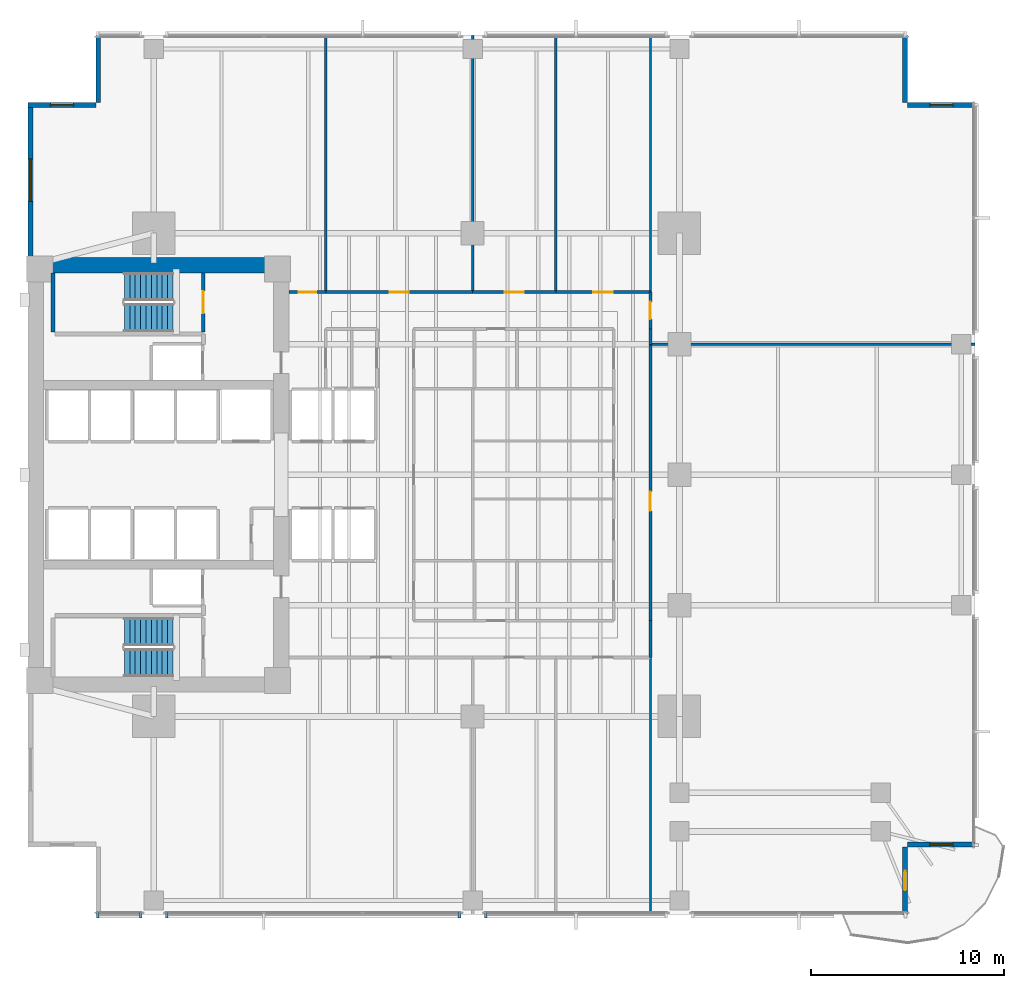
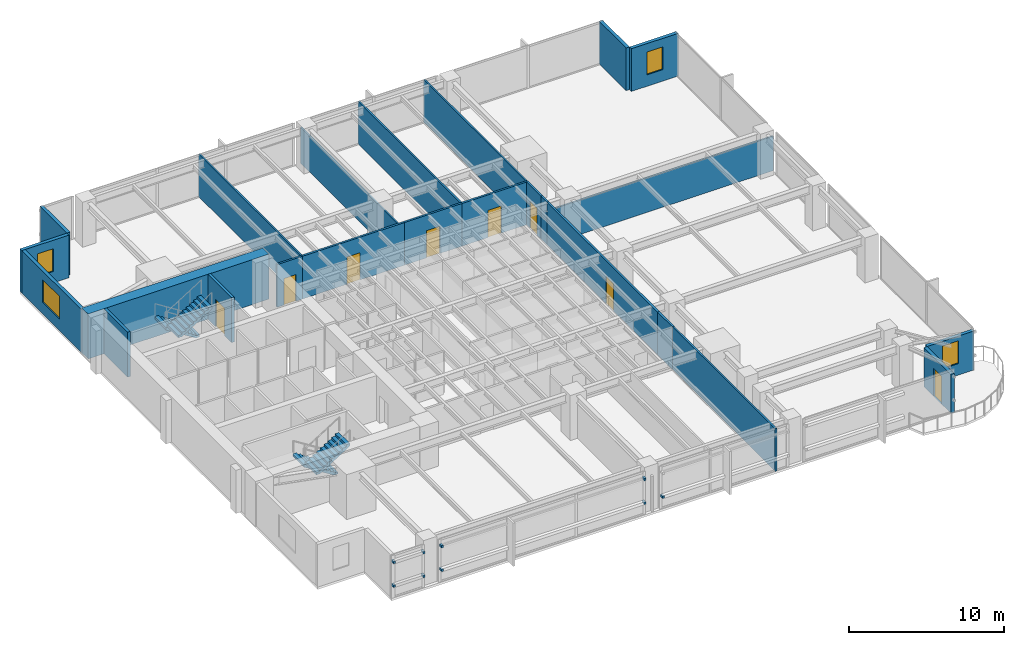
# One storey, part 10 of 15: 24 walls, 9 discrete accessories, 8 doors, 4 stair flights, 4 windows, 12 openings, 2 elements without a shape of their own.
"""IFC4 building model written with IfcOpenShell, lengths in metres."""

from ifc_helpers import new_model, si_unit, direction, frame, frame_2d, origin, origin_2d, place, context, subcontext, project, spatial, polyline, rectangle, outline, extrude, material, layer, layer_set, type_object, element, fill, aggregate, save


model = new_model("IFC4")

# Units and contexts
model_context = context("Model", 3, precision=1e-05, world=origin(), true_north=direction((0.0, 1.0)))
body_context = subcontext(model_context, "Body", "Model", "MODEL_VIEW")
ifc_project = project(units=[si_unit("LENGTHUNIT", "METRE"), si_unit("AREAUNIT", "SQUARE_METRE"), si_unit("VOLUMEUNIT", "CUBIC_METRE"), si_unit("PLANEANGLEUNIT", "RADIAN"), si_unit("MASSUNIT", "GRAM", prefix="KILO")], contexts=[model_context])

# Site, building, storey
site_placement = place(None, origin())
site = spatial("IfcSite", under=ifc_project, at=site_placement, CompositionType="ELEMENT")
building_placement = place(site_placement, origin())
building = spatial("IfcBuilding", under=site, at=building_placement, Name="Kinhvarn Gate Tower", CompositionType="ELEMENT")
storey_placement = place(building_placement, frame((0.0, 0.0, 75.300048828125)))
storey = spatial("IfcBuildingStorey", under=building, at=storey_placement, Name="L19", CompositionType="ELEMENT", Elevation=75.300048828125)

# Wall
ifc_material_1 = material(Name="Concrete C70/85", Category="concrete")
ifc_layer_1 = layer(ifc_material_1, 0.800048828125)
ifc_layer_set_1 = layer_set([ifc_layer_1], Name="Concrete C70/85")
wall_type_1 = type_object("IfcWallType", Name="WL-CORE-800", PredefinedType="SHEAR", material=ifc_layer_set_1)
wall_1_placement = place(storey_placement, frame((4.5, 36.10009765625, 0.0), z_axis=(0.0, 0.0, 1.0), x_axis=(1.0, 0.0, 0.0)))
element("IfcWall", 1, at=wall_1_placement, inside=storey, type_object=wall_type_1, Name="Core North Shear Wall L19 800 mm", PredefinedType="SHEAR", context=body_context, shape_type="SweptSolid", body=[
    extrude(rectangle(XDim=13.5, YDim=0.800048828125, at=frame_2d((6.75, 0.0))), origin(), (0.0, 0.0, 1.0), 3.550048828125),
])

# Wall, opening, window
ifc_material_2 = material(Name="Fired architectural terracotta", Category="masonry")
ifc_layer_2 = layer(ifc_material_2, 0.25)
ifc_layer_set_2 = layer_set([ifc_layer_2], Name="Fired architectural terracotta")
wall_type_2 = type_object("IfcWallType", Name="WL-EXT-250", PredefinedType="SOLIDWALL", material=ifc_layer_set_2)
wall_2_placement = place(storey_placement, frame((4.625, 44.5, 0.0), z_axis=(0.0, 0.0, 1.0), x_axis=(0.0, -1.0, 0.0)))
wall_2 = element("IfcWall", 2, at=wall_2_placement, inside=storey, type_object=wall_type_2, Name="Exterior Solidwall Wall EW-250 (L19 West-North)", PredefinedType="SOLIDWALL", context=body_context, shape_type="SweptSolid", body=[
    extrude(rectangle(XDim=8.0, YDim=0.25, at=frame_2d((4.0, 0.0))), origin(), (0.0, 0.0, 1.0), 3.369873046875),
])
opening_1_placement = place(wall_2_placement, frame((2.89990234375, 0.0, 0.89990234375)))
opening_1 = element("IfcOpeningElement", 3, at=opening_1_placement, cuts=wall_2, Name="Opening WN-01", PredefinedType="OPENING", context=body_context, shape_type="SweptSolid", body=[
    extrude(rectangle(XDim=2.199951171875, YDim=1.800048828125, at=frame_2d((1.10009765625, 0.89990234375))), frame((0.0, 0.135009765625, 0.0), z_axis=(0.0, -1.0, 0.0), x_axis=(1.0, 0.0, 0.0)), (0.0, 0.0, 1.0), 0.27001953125),
])
ifc_material_3 = material(Name="Clear low-e double glazing", Category="glass")
window_type_1 = type_object("IfcWindowType", Name="WIN-RIB-2200", PartitioningType="SINGLE_PANEL", PredefinedType="WINDOW", material=ifc_material_3)
window_1_placement = place(opening_1_placement, origin())
window_1 = element("IfcWindow", 4, at=window_1_placement, inside=storey, type_object=window_type_1, Name="West Flank Double-Glazed Ribbon Window 2200x1800 mm (L19)", OverallHeight=1.800048828125, OverallWidth=2.199951171875, PartitioningType="SINGLE_PANEL", PredefinedType="WINDOW", context=body_context, shape_type="SweptSolid", body=[
    extrude(rectangle(XDim=2.199951171875, YDim=1.800048828125, at=frame_2d((1.10009765625, 0.89990234375))), frame((0.0, 0.030029296875, 0.0), z_axis=(0.0, -1.0, 0.0), x_axis=(1.0, 0.0, 0.0)), (0.0, 0.0, 1.0), 0.06005859375),
])
fill(opening_1, window_1)

# Wall, opening, door
wall_3_placement = place(storey_placement, frame((49.875, 2.5, 0.0), z_axis=(0.0, 0.0, 1.0), x_axis=(0.0, 1.0, 0.0)))
wall_3 = element("IfcWall", 5, at=wall_3_placement, inside=storey, type_object=wall_type_2, Name="Exterior Solidwall Wall EW-250 (L19 SE-Notch-Door)", PredefinedType="SOLIDWALL", context=body_context, shape_type="SweptSolid", body=[
    extrude(rectangle(XDim=3.5, YDim=0.25, at=frame_2d((1.75, 0.0))), origin(), (0.0, 0.0, 1.0), 3.070068359375),
])
opening_2_placement = place(wall_3_placement, frame((1.25, 0.0, 0.0)))
opening_2 = element("IfcOpeningElement", 6, at=opening_2_placement, cuts=wall_3, Name="Opening BD-01", PredefinedType="OPENING", context=body_context, shape_type="SweptSolid", body=[
    extrude(rectangle(XDim=1.0, YDim=2.199951171875, at=frame_2d((0.5, 1.10009765625))), frame((0.0, 0.135009765625, 0.0), z_axis=(0.0, -1.0, 0.0), x_axis=(1.0, 0.0, 0.0)), (0.0, 0.0, 1.0), 0.27001953125),
])
door_type_1 = type_object("IfcDoorType", Name="DR-BAL-1000", OperationType="NOTDEFINED", PredefinedType="DOOR", material=ifc_material_3)
door_1_placement = place(opening_2_placement, frame((1.0, 0.0, 0.0), z_axis=(0.0, 0.0, 1.0), x_axis=(-1.0, 0.0, 0.0)))
door_1 = element("IfcDoor", 7, at=door_1_placement, inside=storey, type_object=door_type_1, Name="S-Carve Balcony Door BD-01 (L19)", OperationType="SINGLE_SWING_LEFT", OverallHeight=2.199951171875, OverallWidth=1.0, PredefinedType="DOOR", context=body_context, shape_type="SweptSolid", body=[
    extrude(rectangle(XDim=1.0, YDim=2.199951171875, at=frame_2d((0.5, 1.10009765625))), frame((0.0, 0.02490234375, 0.0), z_axis=(0.0, -1.0, 0.0), x_axis=(1.0, 0.0, 0.0)), (0.0, 0.0, 1.0), 0.050048828125),
])
fill(opening_2, door_1)

# Wall, opening, window
wall_4_placement = place(storey_placement, frame((50.0, 6.125, 0.0), z_axis=(0.0, 0.0, 1.0), x_axis=(1.0, 0.0, 0.0)))
wall_4 = element("IfcWall", 8, at=wall_4_placement, inside=storey, type_object=wall_type_2, Name="Exterior Solidwall Wall EW-250 (L19 SE-Notch-Win)", PredefinedType="SOLIDWALL", context=body_context, shape_type="SweptSolid", body=[
    extrude(rectangle(XDim=3.5, YDim=0.25, at=frame_2d((1.75, 0.0))), origin(), (0.0, 0.0, 1.0), 3.070068359375),
])
opening_3_placement = place(wall_4_placement, frame((1.14990234375, 0.0, 0.89990234375)))
opening_3 = element("IfcOpeningElement", 9, at=opening_3_placement, cuts=wall_4, Name="Opening WN-02", PredefinedType="OPENING", context=body_context, shape_type="SweptSolid", body=[
    extrude(rectangle(XDim=1.199951171875, YDim=1.800048828125, at=frame_2d((0.60009765625, 0.89990234375))), frame((0.0, 0.135009765625, 0.0), z_axis=(0.0, -1.0, 0.0), x_axis=(1.0, 0.0, 0.0)), (0.0, 0.0, 1.0), 0.27001953125),
])
window_type_2 = type_object("IfcWindowType", Name="WIN-NTC-1200", PartitioningType="SINGLE_PANEL", PredefinedType="WINDOW", material=ifc_material_3)
window_2_placement = place(opening_3_placement, origin())
window_2 = element("IfcWindow", 10, at=window_2_placement, inside=storey, type_object=window_type_2, Name="Recessed Corner Notch Punched Window 1200x1800 mm (L19)", OverallHeight=1.800048828125, OverallWidth=1.199951171875, PartitioningType="SINGLE_PANEL", PredefinedType="WINDOW", context=body_context, shape_type="SweptSolid", body=[
    extrude(rectangle(XDim=1.199951171875, YDim=1.800048828125, at=frame_2d((0.60009765625, 0.89990234375))), frame((0.0, 0.030029296875, 0.0), z_axis=(0.0, -1.0, 0.0), x_axis=(1.0, 0.0, 0.0)), (0.0, 0.0, 1.0), 0.06005859375),
])
fill(opening_3, window_2)

wall_5_placement = place(storey_placement, frame((53.5, 44.375, 0.0), z_axis=(0.0, 0.0, 1.0), x_axis=(-1.0, 0.0, 0.0)))
wall_5 = element("IfcWall", 11, at=wall_5_placement, inside=storey, type_object=wall_type_2, Name="Exterior Solidwall Wall EW-250 (L19 NE-Notch-1)", PredefinedType="SOLIDWALL", context=body_context, shape_type="SweptSolid", body=[
    extrude(rectangle(XDim=3.5, YDim=0.25, at=frame_2d((1.75, 0.0))), origin(), (0.0, 0.0, 1.0), 3.369873046875),
])
opening_4_placement = place(wall_5_placement, frame((1.14990234375, 0.0, 0.89990234375)))
opening_4 = element("IfcOpeningElement", 12, at=opening_4_placement, cuts=wall_5, Name="Opening WN-02", PredefinedType="OPENING", context=body_context, shape_type="SweptSolid", body=[
    extrude(rectangle(XDim=1.199951171875, YDim=1.800048828125, at=frame_2d((0.60009765625, 0.89990234375))), frame((0.0, 0.135009765625, 0.0), z_axis=(0.0, -1.0, 0.0), x_axis=(1.0, 0.0, 0.0)), (0.0, 0.0, 1.0), 0.27001953125),
])
window_3_placement = place(opening_4_placement, origin())
window_3 = element("IfcWindow", 13, at=window_3_placement, inside=storey, type_object=window_type_2, Name="Recessed Corner Notch Punched Window 1200x1800 mm (L19)", OverallHeight=1.800048828125, OverallWidth=1.199951171875, PartitioningType="SINGLE_PANEL", PredefinedType="WINDOW", context=body_context, shape_type="SweptSolid", body=[
    extrude(rectangle(XDim=1.199951171875, YDim=1.800048828125, at=frame_2d((0.60009765625, 0.89990234375))), frame((0.0, 0.030029296875, 0.0), z_axis=(0.0, -1.0, 0.0), x_axis=(1.0, 0.0, 0.0)), (0.0, 0.0, 1.0), 0.06005859375),
])
fill(opening_4, window_3)

# Walls
for number, where, z_axis, x_axis, name in (
    (14, (49.875, 44.5, 0.0), (0.0, 0.0, 1.0), (0.0, 1.0, 0.0), "Exterior Solidwall Wall EW-250 (L19 NE-Notch-2)"),
    (15, (8.125, 48.0, 0.0), (0.0, 0.0, 1.0), (0.0, -1.0, 0.0), "Exterior Solidwall Wall EW-250 (L19 NW-Notch-1)"),
):
    element("IfcWall", number, at=place(storey_placement, frame(where, z_axis=z_axis, x_axis=x_axis)), inside=storey, type_object=wall_type_2, Name=name, PredefinedType="SOLIDWALL", context=body_context, shape_type="SweptSolid", body=[
        extrude(rectangle(XDim=3.5, YDim=0.25, at=frame_2d((1.75, 0.0))), origin(), (0.0, 0.0, 1.0), 3.369873046875),
    ])

# Wall, opening, window
wall_6_placement = place(storey_placement, frame((8.0, 44.375, 0.0), z_axis=(0.0, 0.0, 1.0), x_axis=(-1.0, 0.0, 0.0)))
wall_6 = element("IfcWall", 16, at=wall_6_placement, inside=storey, type_object=wall_type_2, Name="Exterior Solidwall Wall EW-250 (L19 NW-Notch-2)", PredefinedType="SOLIDWALL", context=body_context, shape_type="SweptSolid", body=[
    extrude(rectangle(XDim=3.5, YDim=0.25, at=frame_2d((1.75, 0.0))), origin(), (0.0, 0.0, 1.0), 3.369873046875),
])
opening_5_placement = place(wall_6_placement, frame((1.14990234375, 0.0, 0.89990234375)))
opening_5 = element("IfcOpeningElement", 17, at=opening_5_placement, cuts=wall_6, Name="Opening WN-02", PredefinedType="OPENING", context=body_context, shape_type="SweptSolid", body=[
    extrude(rectangle(XDim=1.199951171875, YDim=1.800048828125, at=frame_2d((0.60009765625, 0.89990234375))), frame((0.0, 0.135009765625, 0.0), z_axis=(0.0, -1.0, 0.0), x_axis=(1.0, 0.0, 0.0)), (0.0, 0.0, 1.0), 0.27001953125),
])
window_4_placement = place(opening_5_placement, origin())
window_4 = element("IfcWindow", 18, at=window_4_placement, inside=storey, type_object=window_type_2, Name="Recessed Corner Notch Punched Window 1200x1800 mm (L19)", OverallHeight=1.800048828125, OverallWidth=1.199951171875, PartitioningType="SINGLE_PANEL", PredefinedType="WINDOW", context=body_context, shape_type="SweptSolid", body=[
    extrude(rectangle(XDim=1.199951171875, YDim=1.800048828125, at=frame_2d((0.60009765625, 0.89990234375))), frame((0.0, 0.030029296875, 0.0), z_axis=(0.0, -1.0, 0.0), x_axis=(1.0, 0.0, 0.0)), (0.0, 0.0, 1.0), 0.06005859375),
])
fill(opening_5, window_4)

# Walls
ifc_material_4 = material(Name="Gypsum acoustic partition board")
ifc_layer_3 = layer(ifc_material_4, 0.1201171875)
ifc_layer_set_3 = layer_set([ifc_layer_3], Name="Gypsum acoustic partition board")
wall_type_3 = type_object("IfcWallType", Name="WL-PRT-120", PredefinedType="PARTITIONING", material=ifc_layer_set_3)
for number, where, z_axis, x_axis, name in (
    (19, (36.699951171875, 2.510009765625, 0.0), (0.0, 0.0, 1.0), (0.0, 1.0, 0.0), "Interior Partition PW-120 (L19)"),
    (20, (19.89990234375, 34.699951171875, 0.0), (0.0, 0.0, 1.0), (0.0, 1.0, 0.0), "Interior Partition PW-120 (L19)"),
):
    element("IfcWall", number, at=place(storey_placement, frame(where, z_axis=z_axis, x_axis=x_axis)), inside=storey, type_object=wall_type_3, Name=name, PredefinedType="PARTITIONING", context=body_context, shape_type="SweptSolid", body=[
        extrude(rectangle(XDim=13.2900390625, YDim=0.1201171875, at=frame_2d((6.64501953125, 0.0))), origin(), (0.0, 0.0, 1.0), 3.369873046875),
    ])
wall_7_placement = place(storey_placement, frame((27.5, 34.699951171875, 0.0), z_axis=(0.0, 0.0, 1.0), x_axis=(0.0, 1.0, 0.0)))
element("IfcWall", 21, at=wall_7_placement, inside=storey, type_object=wall_type_3, Name="Interior Partition PW-120 (L19)", PredefinedType="PARTITIONING", context=body_context, shape_type="SweptSolid", body=[
    extrude(rectangle(XDim=13.2900390625, YDim=0.1201171875, at=frame_2d((6.64501953125, 0.0))), origin(), (0.0, 0.0, 1.0), 2.820068359375),
])
for number, where, z_axis, x_axis, name in (
    (22, (31.800048828125, 34.699951171875, 0.0), (0.0, 0.0, 1.0), (0.0, 1.0, 0.0), "Interior Partition PW-120 (L19)"),
    (23, (36.699951171875, 34.699951171875, 0.0), (0.0, 0.0, 1.0), (0.0, 1.0, 0.0), "Interior Partition PW-120 (L19)"),
):
    element("IfcWall", number, at=place(storey_placement, frame(where, z_axis=z_axis, x_axis=x_axis)), inside=storey, type_object=wall_type_3, Name=name, PredefinedType="PARTITIONING", context=body_context, shape_type="SweptSolid", body=[
        extrude(rectangle(XDim=13.2900390625, YDim=0.1201171875, at=frame_2d((6.64501953125, 0.0))), origin(), (0.0, 0.0, 1.0), 3.369873046875),
    ])
wall_8_placement = place(storey_placement, frame((36.699951171875, 32.0, 0.0), z_axis=(0.0, 0.0, 1.0), x_axis=(1.0, 0.0, 0.0)))
element("IfcWall", 24, at=wall_8_placement, inside=storey, type_object=wall_type_3, Name="Interior Partition PW-120 (L19)", PredefinedType="PARTITIONING", context=body_context, shape_type="SweptSolid", body=[
    extrude(rectangle(XDim=16.7900390625, YDim=0.1201171875, at=frame_2d((8.39501953125, 0.0))), origin(), (0.0, 0.0, 1.0), 2.719970703125),
])
ifc_layer_4 = layer(ifc_material_4, 0.14990234375)
ifc_layer_set_4 = layer_set([ifc_layer_4], Name="Gypsum acoustic partition board")
wall_type_4 = type_object("IfcWallType", Name="WL-PRT-150F", PredefinedType="PARTITIONING", material=ifc_layer_set_4)
wall_9_placement = place(storey_placement, frame((36.699951171875, 15.800048828125, 0.0), z_axis=(0.0, 0.0, 1.0), x_axis=(0.0, 1.0, 0.0)))
element("IfcWall", 25, at=wall_9_placement, inside=storey, type_object=wall_type_4, Name="Interior Partition PW-150F (L19)", PredefinedType="PARTITIONING", context=body_context, shape_type="SweptSolid", body=[
    extrude(rectangle(XDim=1.89990234375, YDim=0.14990234375, at=frame_2d((0.949951171875, 0.0))), origin(), (0.0, 0.0, 1.0), 3.369873046875),
])

# Wall, opening, door
wall_10_placement = place(storey_placement, frame((18.0, 34.699951171875, 0.0), z_axis=(0.0, 0.0, 1.0), x_axis=(1.0, 0.0, 0.0)))
wall_10 = element("IfcWall", 26, at=wall_10_placement, inside=storey, type_object=wall_type_4, Name="Interior Partition PW-150F (L19)", PredefinedType="PARTITIONING", context=body_context, shape_type="SweptSolid", body=[
    extrude(rectangle(XDim=1.89990234375, YDim=0.14990234375, at=frame_2d((0.949951171875, 0.0))), origin(), (0.0, 0.0, 1.0), 3.369873046875),
])
opening_6_placement = place(wall_10_placement, frame((0.5, 0.0, 0.0)))
opening_6 = element("IfcOpeningElement", 27, at=opening_6_placement, cuts=wall_10, Name="Opening ID-03", PredefinedType="OPENING", context=body_context, shape_type="SweptSolid", body=[
    extrude(rectangle(XDim=0.89990234375, YDim=2.10009765625, at=frame_2d((0.449951171875, 1.050048828125))), frame((0.0, 0.0849609375, 0.0), z_axis=(0.0, -1.0, 0.0), x_axis=(1.0, 0.0, 0.0)), (0.0, 0.0, 1.0), 0.169921875),
])
ifc_material_5 = material(Name="Anodised aluminium AW-6063", Category="aluminium")
door_type_2 = type_object("IfcDoorType", Name="DR-INT-900", OperationType="NOTDEFINED", PredefinedType="DOOR", material=ifc_material_5)
door_2_placement = place(opening_6_placement, origin())
door_2 = element("IfcDoor", 28, at=door_2_placement, inside=storey, type_object=door_type_2, Name="Cellular Office & Restroom Door 900x2100 mm (L19)", OperationType="SINGLE_SWING_LEFT", OverallHeight=2.10009765625, OverallWidth=0.89990234375, PredefinedType="DOOR", context=body_context, shape_type="SweptSolid", body=[
    extrude(rectangle(XDim=0.89990234375, YDim=2.10009765625, at=frame_2d((0.449951171875, 1.050048828125))), frame((0.0, 0.02490234375, 0.0), z_axis=(0.0, -1.0, 0.0), x_axis=(1.0, 0.0, 0.0)), (0.0, 0.0, 1.0), 0.050048828125),
])
fill(opening_6, door_2)

wall_11_placement = place(storey_placement, frame((19.89990234375, 34.699951171875, 0.0), z_axis=(0.0, 0.0, 1.0), x_axis=(1.0, 0.0, 0.0)))
wall_11 = element("IfcWall", 29, at=wall_11_placement, inside=storey, type_object=wall_type_4, Name="Interior Partition PW-150F (L19)", PredefinedType="PARTITIONING", context=body_context, shape_type="SweptSolid", body=[
    extrude(rectangle(XDim=7.60009765625, YDim=0.14990234375, at=frame_2d((3.800048828125, 0.0))), origin(), (0.0, 0.0, 1.0), 3.369873046875),
])
opening_7_placement = place(wall_11_placement, frame((3.300048828125, 0.0, 0.0)))
opening_7 = element("IfcOpeningElement", 30, at=opening_7_placement, cuts=wall_11, Name="Opening ID-02", PredefinedType="OPENING", context=body_context, shape_type="SweptSolid", body=[
    extrude(rectangle(XDim=1.0, YDim=2.14990234375, at=frame_2d((0.5, 1.074951171875))), frame((0.0, 0.0849609375, 0.0), z_axis=(0.0, -1.0, 0.0), x_axis=(1.0, 0.0, 0.0)), (0.0, 0.0, 1.0), 0.169921875),
])
door_type_3 = type_object("IfcDoorType", Name="DR-INT-1000", OperationType="NOTDEFINED", PredefinedType="DOOR", material=ifc_material_5)
door_3_placement = place(opening_7_placement, origin())
door_3 = element("IfcDoor", 31, at=door_3_placement, inside=storey, type_object=door_type_3, Name="Standard Office & Meeting Room Door 1000x2150 mm (L19)", OperationType="SINGLE_SWING_RIGHT", OverallHeight=2.14990234375, OverallWidth=1.0, PredefinedType="DOOR", context=body_context, shape_type="SweptSolid", body=[
    extrude(rectangle(XDim=1.0, YDim=2.14990234375, at=frame_2d((0.5, 1.074951171875))), frame((0.0, 0.02490234375, 0.0), z_axis=(0.0, -1.0, 0.0), x_axis=(1.0, 0.0, 0.0)), (0.0, 0.0, 1.0), 0.050048828125),
])
fill(opening_7, door_3)

wall_12_placement = place(storey_placement, frame((27.5, 34.699951171875, 0.0), z_axis=(0.0, 0.0, 1.0), x_axis=(1.0, 0.0, 0.0)))
wall_12 = element("IfcWall", 32, at=wall_12_placement, inside=storey, type_object=wall_type_4, Name="Interior Partition PW-150F (L19)", PredefinedType="PARTITIONING", context=body_context, shape_type="SweptSolid", body=[
    extrude(rectangle(XDim=4.300048828125, YDim=0.14990234375, at=frame_2d((2.14990234375, 0.0))), origin(), (0.0, 0.0, 1.0), 3.369873046875),
])
opening_8_placement = place(wall_12_placement, frame((1.64990234375, 0.0, 0.0)))
opening_8 = element("IfcOpeningElement", 33, at=opening_8_placement, cuts=wall_12, Name="Opening ID-02", PredefinedType="OPENING", context=body_context, shape_type="SweptSolid", body=[
    extrude(rectangle(XDim=1.0, YDim=2.14990234375, at=frame_2d((0.5, 1.074951171875))), frame((0.0, 0.0849609375, 0.0), z_axis=(0.0, -1.0, 0.0), x_axis=(1.0, 0.0, 0.0)), (0.0, 0.0, 1.0), 0.169921875),
])
door_4_placement = place(opening_8_placement, origin())
door_4 = element("IfcDoor", 34, at=door_4_placement, inside=storey, type_object=door_type_3, Name="Standard Office & Meeting Room Door 1000x2150 mm (L19)", OperationType="SINGLE_SWING_LEFT", OverallHeight=2.14990234375, OverallWidth=1.0, PredefinedType="DOOR", context=body_context, shape_type="SweptSolid", body=[
    extrude(rectangle(XDim=1.0, YDim=2.14990234375, at=frame_2d((0.5, 1.074951171875))), frame((0.0, 0.02490234375, 0.0), z_axis=(0.0, -1.0, 0.0), x_axis=(1.0, 0.0, 0.0)), (0.0, 0.0, 1.0), 0.050048828125),
])
fill(opening_8, door_4)

wall_13_placement = place(storey_placement, frame((31.800048828125, 34.699951171875, 0.0), z_axis=(0.0, 0.0, 1.0), x_axis=(1.0, 0.0, 0.0)))
wall_13 = element("IfcWall", 35, at=wall_13_placement, inside=storey, type_object=wall_type_4, Name="Interior Partition PW-150F (L19)", PredefinedType="PARTITIONING", context=body_context, shape_type="SweptSolid", body=[
    extrude(rectangle(XDim=4.89990234375, YDim=0.14990234375, at=frame_2d((2.449951171875, 0.0))), origin(), (0.0, 0.0, 1.0), 3.369873046875),
])
opening_9_placement = place(wall_13_placement, frame((1.949951171875, 0.0, 0.0)))
opening_9 = element("IfcOpeningElement", 36, at=opening_9_placement, cuts=wall_13, Name="Opening ID-02", PredefinedType="OPENING", context=body_context, shape_type="SweptSolid", body=[
    extrude(rectangle(XDim=1.0, YDim=2.14990234375, at=frame_2d((0.5, 1.074951171875))), frame((0.0, 0.0849609375, 0.0), z_axis=(0.0, -1.0, 0.0), x_axis=(1.0, 0.0, 0.0)), (0.0, 0.0, 1.0), 0.169921875),
])
door_5_placement = place(opening_9_placement, origin())
door_5 = element("IfcDoor", 37, at=door_5_placement, inside=storey, type_object=door_type_3, Name="Standard Office & Meeting Room Door 1000x2150 mm (L19)", OperationType="SINGLE_SWING_RIGHT", OverallHeight=2.14990234375, OverallWidth=1.0, PredefinedType="DOOR", context=body_context, shape_type="SweptSolid", body=[
    extrude(rectangle(XDim=1.0, YDim=2.14990234375, at=frame_2d((0.5, 1.074951171875))), frame((0.0, 0.02490234375, 0.0), z_axis=(0.0, -1.0, 0.0), x_axis=(1.0, 0.0, 0.0)), (0.0, 0.0, 1.0), 0.050048828125),
])
fill(opening_9, door_5)

wall_14_placement = place(storey_placement, frame((36.699951171875, 32.800048828125, 0.0), z_axis=(0.0, 0.0, 1.0), x_axis=(0.0, 1.0, 0.0)))
wall_14 = element("IfcWall", 38, at=wall_14_placement, inside=storey, type_object=wall_type_4, Name="Interior Partition PW-150F (L19)", PredefinedType="PARTITIONING", context=body_context, shape_type="SweptSolid", body=[
    extrude(rectangle(XDim=1.89990234375, YDim=0.14990234375, at=frame_2d((0.949951171875, 0.0))), origin(), (0.0, 0.0, 1.0), 3.369873046875),
])
opening_10_placement = place(wall_14_placement, frame((0.5, 0.0, 0.0)))
opening_10 = element("IfcOpeningElement", 39, at=opening_10_placement, cuts=wall_14, Name="Opening ID-03", PredefinedType="OPENING", context=body_context, shape_type="SweptSolid", body=[
    extrude(rectangle(XDim=0.89990234375, YDim=2.10009765625, at=frame_2d((0.449951171875, 1.050048828125))), frame((0.0, 0.0849609375, 0.0), z_axis=(0.0, -1.0, 0.0), x_axis=(1.0, 0.0, 0.0)), (0.0, 0.0, 1.0), 0.169921875),
])
door_6_placement = place(opening_10_placement, origin())
door_6 = element("IfcDoor", 40, at=door_6_placement, inside=storey, type_object=door_type_2, Name="Cellular Office & Restroom Door 900x2100 mm (L19)", OperationType="SINGLE_SWING_LEFT", OverallHeight=2.10009765625, OverallWidth=0.89990234375, PredefinedType="DOOR", context=body_context, shape_type="SweptSolid", body=[
    extrude(rectangle(XDim=0.89990234375, YDim=2.10009765625, at=frame_2d((0.449951171875, 1.050048828125))), frame((0.0, 0.02490234375, 0.0), z_axis=(0.0, -1.0, 0.0), x_axis=(1.0, 0.0, 0.0)), (0.0, 0.0, 1.0), 0.050048828125),
])
fill(opening_10, door_6)

wall_15_placement = place(storey_placement, frame((36.699951171875, 17.699951171875, 0.0), z_axis=(0.0, 0.0, 1.0), x_axis=(0.0, 1.0, 0.0)))
wall_15 = element("IfcWall", 41, at=wall_15_placement, inside=storey, type_object=wall_type_4, Name="Interior Partition PW-150F (L19)", PredefinedType="PARTITIONING", context=body_context, shape_type="SweptSolid", body=[
    extrude(rectangle(XDim=14.300048828125, YDim=0.14990234375, at=frame_2d((7.14990234375, 0.0))), origin(), (0.0, 0.0, 1.0), 3.369873046875),
])
opening_11_placement = place(wall_15_placement, frame((5.68310546875, 0.0, 0.0)))
opening_11 = element("IfcOpeningElement", 42, at=opening_11_placement, cuts=wall_15, Name="Opening ID-02", PredefinedType="OPENING", context=body_context, shape_type="SweptSolid", body=[
    extrude(rectangle(XDim=1.0, YDim=2.14990234375, at=frame_2d((0.5, 1.074951171875))), frame((0.0, 0.0849609375, 0.0), z_axis=(0.0, -1.0, 0.0), x_axis=(1.0, 0.0, 0.0)), (0.0, 0.0, 1.0), 0.169921875),
])
door_7_placement = place(opening_11_placement, origin())
door_7 = element("IfcDoor", 43, at=door_7_placement, inside=storey, type_object=door_type_3, Name="Standard Office & Meeting Room Door 1000x2150 mm (L19)", OperationType="SINGLE_SWING_LEFT", OverallHeight=2.14990234375, OverallWidth=1.0, PredefinedType="DOOR", context=body_context, shape_type="SweptSolid", body=[
    extrude(rectangle(XDim=1.0, YDim=2.14990234375, at=frame_2d((0.5, 1.074951171875))), frame((0.0, 0.02490234375, 0.0), z_axis=(0.0, -1.0, 0.0), x_axis=(1.0, 0.0, 0.0)), (0.0, 0.0, 1.0), 0.050048828125),
])
fill(opening_11, door_7)

# Walls
wall_16_placement = place(storey_placement, frame((36.699951171875, 32.0, 0.0), z_axis=(0.0, 0.0, 1.0), x_axis=(0.0, 1.0, 0.0)))
element("IfcWall", 44, at=wall_16_placement, inside=storey, type_object=wall_type_4, Name="Interior Partition PW-150F (L19)", PredefinedType="PARTITIONING", context=body_context, shape_type="SweptSolid", body=[
    extrude(rectangle(XDim=0.800048828125, YDim=0.14990234375, at=frame_2d((0.39990234375, 0.0))), origin(), (0.0, 0.0, 1.0), 3.369873046875),
])
ifc_material_6 = material(Name="Concrete C40/50", Category="concrete")
ifc_layer_5 = layer(ifc_material_6, 0.199951171875)
ifc_layer_set_5 = layer_set([ifc_layer_5], Name="Concrete C40/50")
wall_type_5 = type_object("IfcWallType", Name="WL-SHF-200", PredefinedType="SOLIDWALL", material=ifc_layer_set_5)
wall_17_placement = place(storey_placement, frame((5.7900390625, 32.64990234375, 0.0), z_axis=(0.0, 0.0, 1.0), x_axis=(0.0, 1.0, 0.0)))
element("IfcWall", 45, at=wall_17_placement, inside=storey, type_object=wall_type_5, Name="Stair ST2 West Shaft Wall (L19)", PredefinedType="SOLIDWALL", context=body_context, shape_type="SweptSolid", body=[
    extrude(rectangle(XDim=3.050048828125, YDim=0.199951171875, at=frame_2d((1.52490234375, 0.0))), origin(), (0.0, 0.0, 1.0), 3.550048828125),
])

# Wall, opening, door
wall_18_placement = place(storey_placement, frame((13.56005859375, 32.64990234375, 0.0), z_axis=(0.0, 0.0, 1.0), x_axis=(0.0, 1.0, 0.0)))
wall_18 = element("IfcWall", 46, at=wall_18_placement, inside=storey, type_object=wall_type_5, Name="Stair ST2 East Entry Wall (L19)", PredefinedType="SOLIDWALL", context=body_context, shape_type="SweptSolid", body=[
    extrude(rectangle(XDim=3.050048828125, YDim=0.199951171875, at=frame_2d((1.52490234375, 0.0))), origin(), (0.0, 0.0, 1.0), 3.550048828125),
])
opening_12_placement = place(wall_18_placement, frame((0.949951171875, 0.0, 0.0)))
opening_12 = element("IfcOpeningElement", 47, at=opening_12_placement, cuts=wall_18, Name="Opening FD-01", PredefinedType="OPENING", context=body_context, shape_type="SweptSolid", body=[
    extrude(rectangle(XDim=1.14990234375, YDim=2.14990234375, at=frame_2d((0.574951171875, 1.074951171875))), frame((0.0, 0.10986328125, 0.0), z_axis=(0.0, -1.0, 0.0), x_axis=(1.0, 0.0, 0.0)), (0.0, 0.0, 1.0), 0.219970703125),
])
door_type_4 = type_object("IfcDoorType", Name="DR-ST-1150", OperationType="NOTDEFINED", PredefinedType="DOOR", material=ifc_material_5)
door_8_placement = place(opening_12_placement, origin())
door_8 = element("IfcDoor", 48, at=door_8_placement, inside=storey, type_object=door_type_4, Name="Exit Stair ST2 Fire Door (L19)", OperationType="SINGLE_SWING_RIGHT", OverallHeight=2.14990234375, OverallWidth=1.14990234375, PredefinedType="DOOR", context=body_context, shape_type="SweptSolid", body=[
    extrude(rectangle(XDim=1.14990234375, YDim=2.14990234375, at=frame_2d((0.574951171875, 1.074951171875))), frame((0.0, 0.02490234375, 0.0), z_axis=(0.0, -1.0, 0.0), x_axis=(1.0, 0.0, 0.0)), (0.0, 0.0, 1.0), 0.050048828125),
])
fill(opening_12, door_8)

# Stair, stair flights
stair_type = type_object("IfcStairType", Name="STR-DLG-177", PredefinedType="HALF_TURN_STAIR", material=ifc_material_6)
stair_1_placement = place(storey_placement, origin())
stair_1 = element("IfcStair", 49, at=stair_1_placement, inside=storey, type_object=stair_type, Name="L19 Core Smokeproof Exit Stair ST1", PredefinedType="HALF_TURN_STAIR")
stair_flight_type = type_object("IfcStairFlightType", Name="STF-DLG-177", PredefinedType="STRAIGHT", material=ifc_material_6)
stair_flight_1_placement = place(storey_placement, frame((12.0, 17.125, 0.0), z_axis=(0.0, 0.0, 1.0), x_axis=(-1.0, 0.0, 0.0)))
stair_flight_1 = element("IfcStairFlight", 50, at=stair_flight_1_placement, type_object=stair_flight_type, Name="ST1 flight 1", NumberOfRisers=10, NumberOfTreads=9, PredefinedType="STRAIGHT", RiserHeight=0.1775, TreadLength=0.28, context=body_context, shape_type="SweptSolid", body=[
    extrude(outline(polyline([(0.0, 0.0), (0.0, 0.177490234375), (0.280029296875, 0.177490234375), (0.280029296875, 0.35498046875), (0.56005859375, 0.35498046875), (0.56005859375, 0.532470703125), (0.840087890625, 0.532470703125), (0.840087890625, 0.7099609375), (1.1201171875, 0.7099609375), (1.1201171875, 0.887451171875), (1.39990234375, 0.887451171875), (1.39990234375, 1.06494140625), (1.679931640625, 1.06494140625), (1.679931640625, 1.242431640625), (1.9599609375, 1.242431640625), (1.9599609375, 1.419921875), (2.239990234375, 1.419921875), (2.239990234375, 1.597412109375), (2.52001953125, 1.597412109375), (2.52001953125, 1.77490234375), (2.52001953125, 1.419921875), (0.280029296875, 0.0), (0.0, 0.0)])), frame((0.0, 0.72509765625, 0.0), z_axis=(0.0, -1.0, 0.0), x_axis=(1.0, 0.0, 0.0)), (0.0, 0.0, 1.0), 1.449951171875),
])
stair_flight_2_placement = place(storey_placement, frame((9.47998046875, 15.52490234375, 1.77490234375), z_axis=(0.0, 0.0, 1.0), x_axis=(1.0, 0.0, 0.0)))
stair_flight_2 = element("IfcStairFlight", 51, at=stair_flight_2_placement, type_object=stair_flight_type, Name="ST1 flight 2", NumberOfRisers=10, NumberOfTreads=9, PredefinedType="STRAIGHT", RiserHeight=0.1775, TreadLength=0.28, context=body_context, shape_type="SweptSolid", body=[
    extrude(outline(polyline([(0.0, 0.0), (0.0, 0.177490234375), (0.280029296875, 0.177490234375), (0.280029296875, 0.35498046875), (0.56005859375, 0.35498046875), (0.56005859375, 0.532470703125), (0.840087890625, 0.532470703125), (0.840087890625, 0.7099609375), (1.1201171875, 0.7099609375), (1.1201171875, 0.887451171875), (1.39990234375, 0.887451171875), (1.39990234375, 1.06494140625), (1.679931640625, 1.06494140625), (1.679931640625, 1.242431640625), (1.9599609375, 1.242431640625), (1.9599609375, 1.419921875), (2.239990234375, 1.419921875), (2.239990234375, 1.597412109375), (2.52001953125, 1.597412109375), (2.52001953125, 1.77490234375), (2.52001953125, 1.419921875), (0.280029296875, 0.0), (0.0, 0.0)])), frame((0.0, 0.72509765625, 0.0), z_axis=(0.0, -1.0, 0.0), x_axis=(1.0, 0.0, 0.0)), (0.0, 0.0, 1.0), 1.449951171875),
])
aggregate(stair_1, [stair_flight_1, stair_flight_2])

stair_2_placement = place(storey_placement, origin())
stair_2 = element("IfcStair", 52, at=stair_2_placement, inside=storey, type_object=stair_type, Name="L19 Core Smokeproof Exit Stair ST2", PredefinedType="HALF_TURN_STAIR")
stair_flight_3_placement = place(storey_placement, frame((12.0, 34.97509765625, 0.0), z_axis=(0.0, 0.0, 1.0), x_axis=(-1.0, 0.0, 0.0)))
stair_flight_3 = element("IfcStairFlight", 53, at=stair_flight_3_placement, type_object=stair_flight_type, Name="ST2 flight 1", NumberOfRisers=10, NumberOfTreads=9, PredefinedType="STRAIGHT", RiserHeight=0.1775, TreadLength=0.28, context=body_context, shape_type="SweptSolid", body=[
    extrude(outline(polyline([(0.0, 0.0), (0.0, 0.177490234375), (0.280029296875, 0.177490234375), (0.280029296875, 0.35498046875), (0.56005859375, 0.35498046875), (0.56005859375, 0.532470703125), (0.840087890625, 0.532470703125), (0.840087890625, 0.7099609375), (1.1201171875, 0.7099609375), (1.1201171875, 0.887451171875), (1.39990234375, 0.887451171875), (1.39990234375, 1.06494140625), (1.679931640625, 1.06494140625), (1.679931640625, 1.242431640625), (1.9599609375, 1.242431640625), (1.9599609375, 1.419921875), (2.239990234375, 1.419921875), (2.239990234375, 1.597412109375), (2.52001953125, 1.597412109375), (2.52001953125, 1.77490234375), (2.52001953125, 1.419921875), (0.280029296875, 0.0), (0.0, 0.0)])), frame((0.0, 0.72509765625, 0.0), z_axis=(0.0, -1.0, 0.0), x_axis=(1.0, 0.0, 0.0)), (0.0, 0.0, 1.0), 1.449951171875),
])
stair_flight_4_placement = place(storey_placement, frame((9.47998046875, 33.375, 1.77490234375), z_axis=(0.0, 0.0, 1.0), x_axis=(1.0, 0.0, 0.0)))
stair_flight_4 = element("IfcStairFlight", 54, at=stair_flight_4_placement, type_object=stair_flight_type, Name="ST2 flight 2", NumberOfRisers=10, NumberOfTreads=9, PredefinedType="STRAIGHT", RiserHeight=0.1775, TreadLength=0.28, context=body_context, shape_type="SweptSolid", body=[
    extrude(outline(polyline([(0.0, 0.0), (0.0, 0.177490234375), (0.280029296875, 0.177490234375), (0.280029296875, 0.35498046875), (0.56005859375, 0.35498046875), (0.56005859375, 0.532470703125), (0.840087890625, 0.532470703125), (0.840087890625, 0.7099609375), (1.1201171875, 0.7099609375), (1.1201171875, 0.887451171875), (1.39990234375, 0.887451171875), (1.39990234375, 1.06494140625), (1.679931640625, 1.06494140625), (1.679931640625, 1.242431640625), (1.9599609375, 1.242431640625), (1.9599609375, 1.419921875), (2.239990234375, 1.419921875), (2.239990234375, 1.597412109375), (2.52001953125, 1.597412109375), (2.52001953125, 1.77490234375), (2.52001953125, 1.419921875), (0.280029296875, 0.0), (0.0, 0.0)])), frame((0.0, 0.72509765625, 0.0), z_axis=(0.0, -1.0, 0.0), x_axis=(1.0, 0.0, 0.0)), (0.0, 0.0, 1.0), 1.449951171875),
])
aggregate(stair_2, [stair_flight_3, stair_flight_4])

# Discrete accessories
discrete_accessory_type = type_object("IfcDiscreteAccessoryType", Name="ACC-BRK-01", PredefinedType="BRACKET", material=ifc_material_5)
for number, where, z_axis, x_axis, name in (
    (55, (8.10009765625, 2.4599609375, 0.9599609375), (0.0, 0.0, 1.0), (1.0, 0.0, 0.0), "Baguette Support Bracket BK-01 (L19)"),
    (56, (8.10009765625, 2.4599609375, 2.830078125), (0.0, 0.0, 1.0), (1.0, 0.0, 0.0), "Baguette Support Bracket BK-01 (L19)"),
    (57, (10.320068359375, 2.4599609375, 0.9599609375), (0.0, 0.0, 1.0), (1.0, 0.0, 0.0), "Baguette Support Bracket BK-01 (L19)"),
    (58, (10.320068359375, 2.4599609375, 2.830078125), (0.0, 0.0, 1.0), (1.0, 0.0, 0.0), "Baguette Support Bracket BK-01 (L19)"),
    (59, (11.679931640625, 2.4599609375, 0.9599609375), (0.0, 0.0, 1.0), (1.0, 0.0, 0.0), "Baguette Support Bracket BK-01 (L19)"),
    (60, (11.679931640625, 2.4599609375, 2.830078125), (0.0, 0.0, 1.0), (1.0, 0.0, 0.0), "Baguette Support Bracket BK-01 (L19)"),
    (61, (26.820068359375, 2.4599609375, 0.9599609375), (0.0, 0.0, 1.0), (1.0, 0.0, 0.0), "Baguette Support Bracket BK-01 (L19)"),
    (62, (26.820068359375, 2.4599609375, 2.830078125), (0.0, 0.0, 1.0), (1.0, 0.0, 0.0), "Baguette Support Bracket BK-01 (L19)"),
    (63, (28.179931640625, 2.4599609375, 0.9599609375), (0.0, 0.0, 1.0), (1.0, 0.0, 0.0), "Baguette Support Bracket BK-01 (L19)"),
):
    element("IfcDiscreteAccessory", number, at=place(storey_placement, frame(where, z_axis=z_axis, x_axis=x_axis)), inside=storey, type_object=discrete_accessory_type, Name=name, PredefinedType="BRACKET", context=body_context, shape_type="SweptSolid", body=[
        extrude(rectangle(XDim=0.139892578125, YDim=0.280029296875, at=origin_2d()), origin(), (0.0, 0.0, 1.0), 0.179931640625),
    ])

save(model, "model.ifc")
